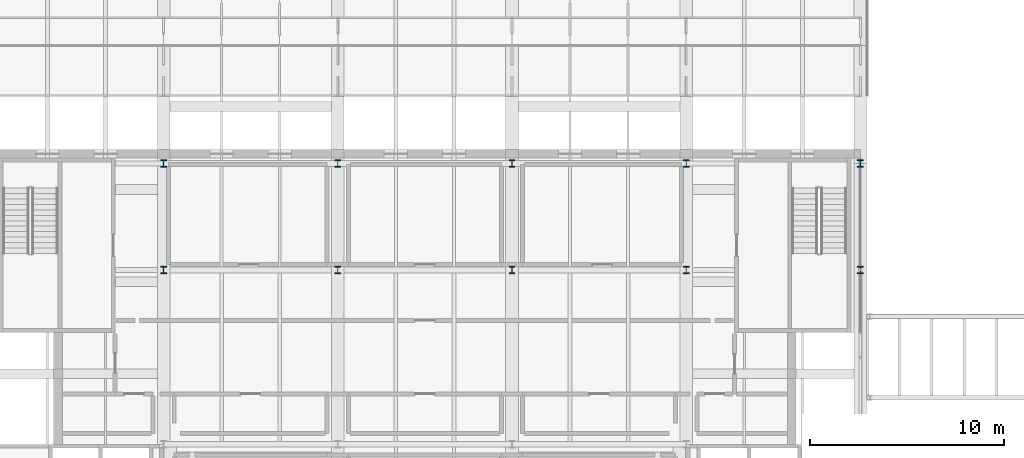
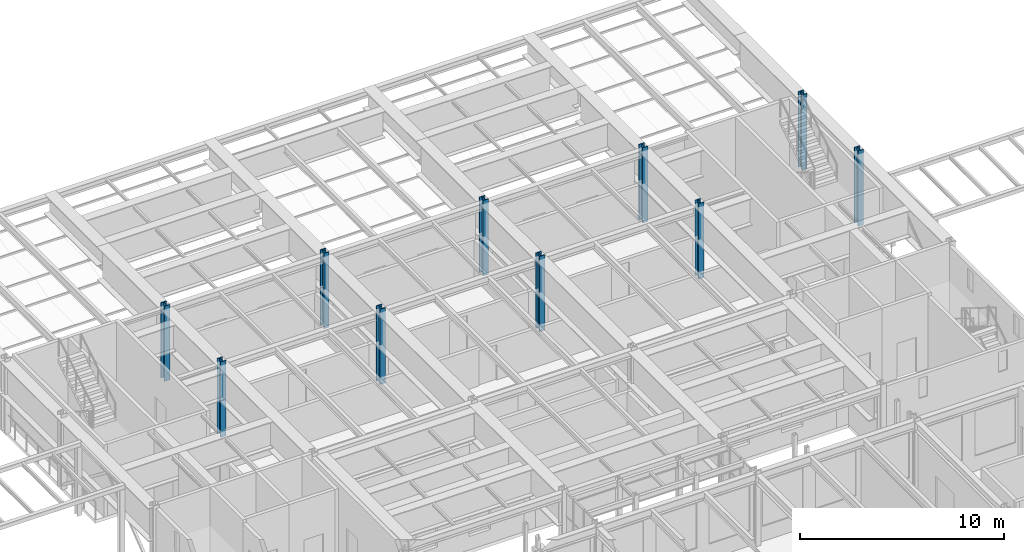
# One storey, part 13 of 153: 10 columns.
"""IFC4 building model written with IfcOpenShell, lengths in metres."""

from ifc_helpers import new_model, si_unit, direction, frame, origin, origin_2d, place, context, subcontext, project, spatial, i_section, extrude, material, material_profile, profile_set, type_object, element, save


model = new_model("IFC4")

# Units and contexts
model_context = context("Model", 3, precision=1e-05, world=origin(), true_north=direction((0.0, 1.0)))
body_context = subcontext(model_context, "Body", "Model", "MODEL_VIEW")
ifc_project = project(units=[si_unit("LENGTHUNIT", "METRE"), si_unit("AREAUNIT", "SQUARE_METRE"), si_unit("VOLUMEUNIT", "CUBIC_METRE"), si_unit("PLANEANGLEUNIT", "RADIAN"), si_unit("MASSUNIT", "GRAM", prefix="KILO")], contexts=[model_context])

# Site, building, storey
site_placement = place(None, origin())
site = spatial("IfcSite", under=ifc_project, at=site_placement, CompositionType="ELEMENT")
building_placement = place(site_placement, origin())
building = spatial("IfcBuilding", under=site, at=building_placement, Name="Kallimachos Central Library", CompositionType="ELEMENT")
storey_placement = place(building_placement, frame((0.0, 0.0, 5.39990234375)))
storey = spatial("IfcBuildingStorey", under=building, at=storey_placement, Name="L01", CompositionType="ELEMENT", Elevation=5.39990234375)

# Columns
ifc_material = material(Name="Steel S355J2", Category="steel")
ifc_material_profile = material_profile(ifc_material, i_section(OverallWidth=0.30908203125, OverallDepth=0.376953125, WebThickness=0.02099609375, FlangeThickness=0.0400390625, FilletRadius=0.027099609375, at=origin_2d()), Name="HEM 340")
ifc_profile_set = profile_set([ifc_material_profile], Name="Steel S355J2")
column_type = type_object("IfcColumnType", Name="HEM 340 column", PredefinedType="COLUMN", material=ifc_profile_set)
for number, where, z_axis, x_axis, name in (
    (1, (74.5, 105.0, 0.0), (0.0, 0.0, 1.0), (1.0, 0.0, 0.0), "V1-COL-L01-014"),
    (2, (83.5, 105.0, 0.0), (0.0, 0.0, 1.0), (1.0, 0.0, 0.0), "V1-COL-L01-015"),
    (3, (92.5, 105.0, 0.0), (0.0, 0.0, 1.0), (1.0, 0.0, 0.0), "V1-COL-L01-016"),
    (4, (101.5, 105.0, 0.0), (0.0, 0.0, 1.0), (1.0, 0.0, 0.0), "V1-COL-L01-017"),
    (5, (110.5, 105.0, 0.0), (0.0, 0.0, 1.0), (1.0, 0.0, 0.0), "V1-COL-L01-018"),
    (6, (74.5, 110.5, 0.0), (0.0, 0.0, 1.0), (1.0, 0.0, 0.0), "V1-COL-L01-020"),
    (7, (83.5, 110.5, 0.0), (0.0, 0.0, 1.0), (1.0, 0.0, 0.0), "V1-COL-L01-021"),
    (8, (92.5, 110.5, 0.0), (0.0, 0.0, 1.0), (1.0, 0.0, 0.0), "V1-COL-L01-022"),
    (9, (101.5, 110.5, 0.0), (0.0, 0.0, 1.0), (1.0, 0.0, 0.0), "V1-COL-L01-023"),
    (10, (110.5, 110.5, 0.0), (0.0, 0.0, 1.0), (1.0, 0.0, 0.0), "V1-COL-L01-024"),
):
    element("IfcColumn", number, at=place(storey_placement, frame(where, z_axis=z_axis, x_axis=x_axis)), inside=storey, type_object=column_type, Name=name, PredefinedType="COLUMN", context=body_context, shape_type="SweptSolid", body=[
        extrude(i_section(OverallWidth=0.30908203125, OverallDepth=0.376953125, WebThickness=0.02099609375, FlangeThickness=0.0400390625, FilletRadius=0.027099609375, at=origin_2d()), origin(), (0.0, 0.0, 1.0), 4.5),
    ])

save(model, "model.ifc")
